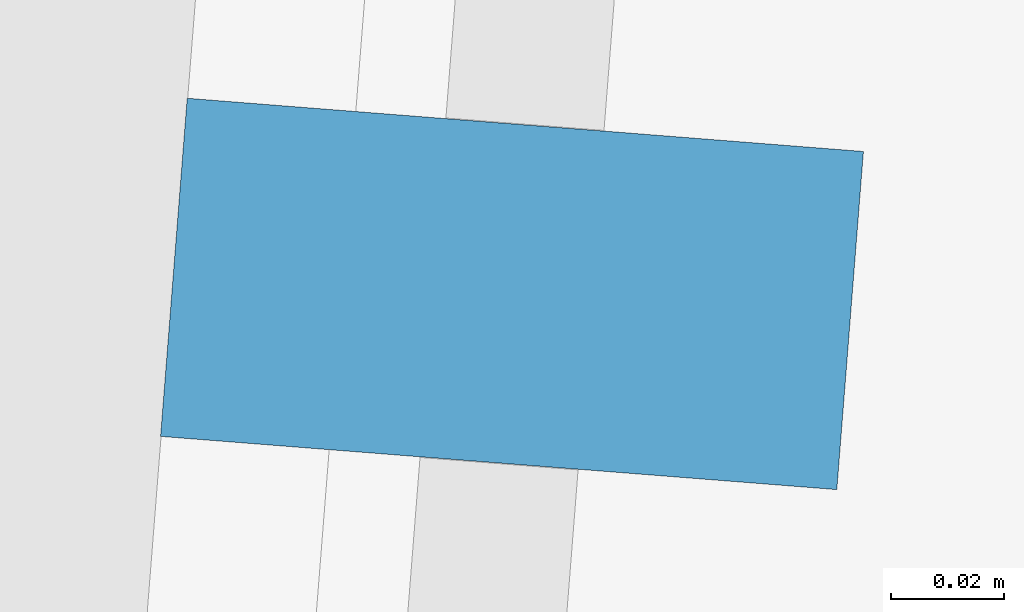
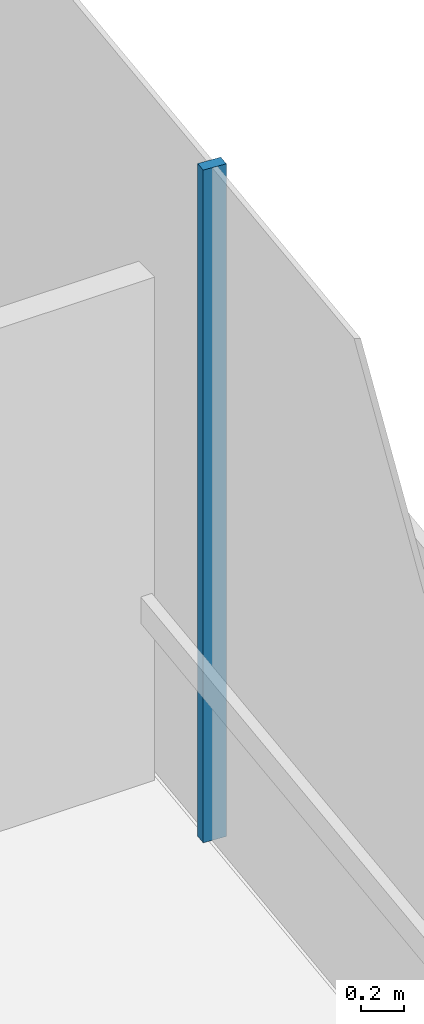
# One storey, part 13 of 22: 1 member, 1 element without a shape of its own.
"""IFC4 building model written with IfcOpenShell, lengths in metres."""

from ifc_helpers import new_model, si_unit, direction, frame, origin, origin_2d, place, context, subcontext, project, spatial, rectangle, extrude, material, layer, layer_set, material_profile, profile_set, type_object, element, aggregate, save


model = new_model("IFC4")

# Units and contexts
model_context = context("Model", 3, precision=1e-05, world=origin(), true_north=direction((0.0, 1.0)))
body_context = subcontext(model_context, "Body", "Model", "MODEL_VIEW")
ifc_project = project(units=[si_unit("LENGTHUNIT", "METRE"), si_unit("AREAUNIT", "SQUARE_METRE"), si_unit("VOLUMEUNIT", "CUBIC_METRE"), si_unit("PLANEANGLEUNIT", "RADIAN"), si_unit("MASSUNIT", "GRAM", prefix="KILO")], contexts=[model_context])

# Site, building, storey
site_placement = place(None, origin())
site = spatial("IfcSite", under=ifc_project, at=site_placement, CompositionType="ELEMENT")
building_placement = place(site_placement, origin())
building = spatial("IfcBuilding", under=site, at=building_placement, Name="Welwitschia Terrace Campus", CompositionType="ELEMENT")
storey_placement = place(building_placement, frame((0.0, 0.0, 150.800048828125)))
storey = spatial("IfcBuildingStorey", under=building, at=storey_placement, Name="L33", CompositionType="ELEMENT", Elevation=150.800048828125)

# Curtain wall, member
ifc_material_1 = material(Name="Bronze anodised aluminium", Category="aluminium")
ifc_layer = layer(ifc_material_1, 0.1201171875)
ifc_layer_set = layer_set([ifc_layer], Name="Bronze anodised aluminium")
curtain_wall_type = type_object("IfcCurtainWallType", Name="Curtain wall CW2 tower 6000", PredefinedType="NOTDEFINED", material=ifc_layer_set)
curtain_wall_placement = place(storey_placement, origin())
curtain_wall = element("IfcCurtainWall", 1, at=curtain_wall_placement, inside=storey, type_object=curtain_wall_type, Name="CW L33.9.0", PredefinedType="NOTDEFINED")
ifc_material_2 = material(Name="Bronze anodised aluminium", Category="aluminium")
ifc_material_profile = material_profile(ifc_material_2, rectangle(XDim=0.1201171875, YDim=0.06005859375, at=origin_2d()))
ifc_profile_set = profile_set([ifc_material_profile], Name="Bronze anodised aluminium")
member_type = type_object("IfcMemberType", Name="Mullion 60x120", PredefinedType="MULLION", material=ifc_profile_set)
member_placement = place(storey_placement, frame((26.46337890625, 44.3935546875, 0.0), z_axis=(0.0, 0.0, 1.0), x_axis=(-0.996917333733, 0.078459095728, 0.0)))
member = element("IfcMember", 2, at=member_placement, type_object=member_type, Name="Mullion L33.9.0.3", PredefinedType="MULLION", context=body_context, shape_type="SweptSolid", body=[
    extrude(rectangle(XDim=0.1201171875, YDim=0.06005859375, at=origin_2d()), origin(), (0.0, 0.0, 1.0), 3.849853515625),
])
aggregate(curtain_wall, [member])

save(model, "model.ifc")
